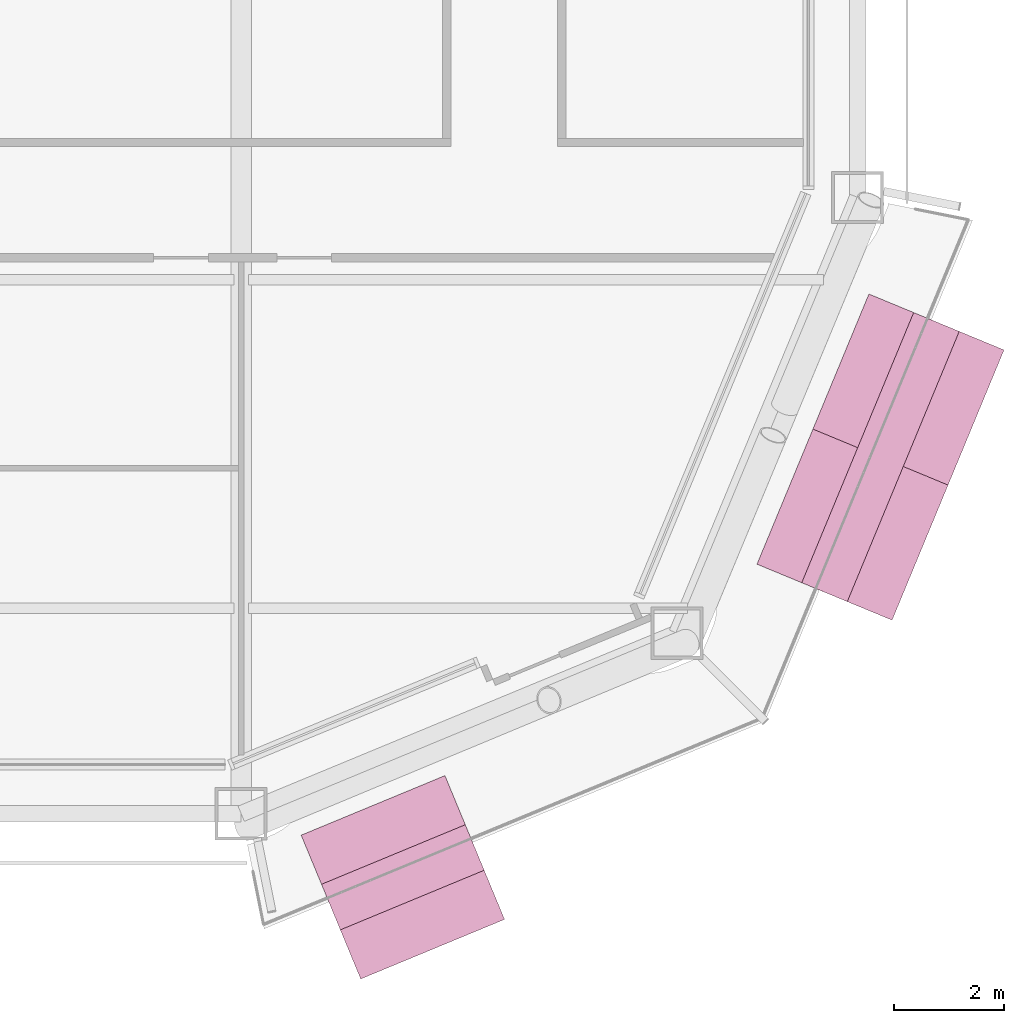
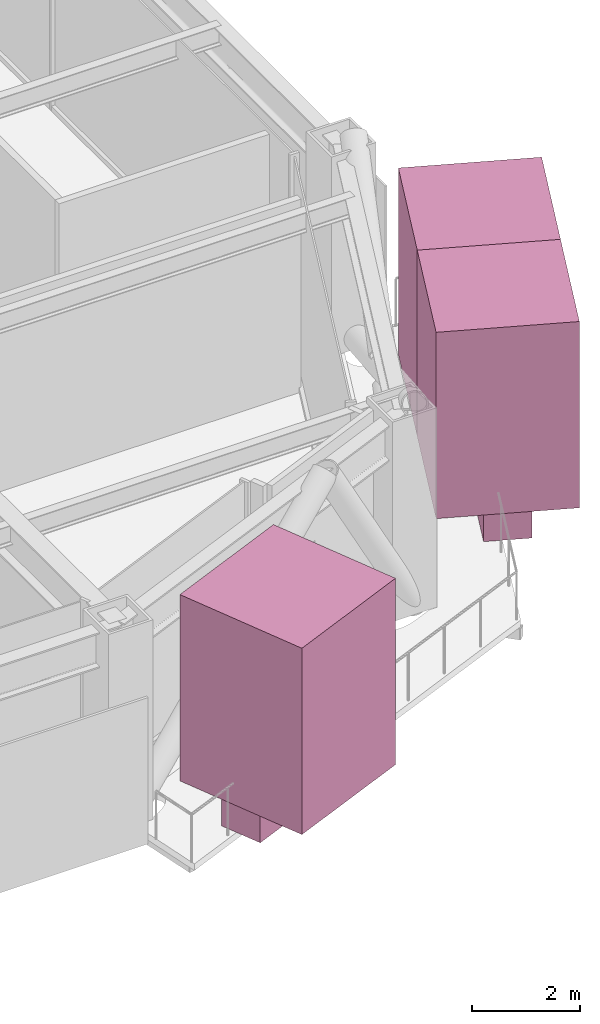
# One storey, part 23 of 23: 5 furnishings.
"""IFC4 building model written with IfcOpenShell, lengths in metres."""

import ifcopenshell
import ifcopenshell.guid

model = None  # the IFC model being written
_history = None  # IfcOwnerHistory: only IFC2X3 demands one
_inside = {}  # id of a spatial element -> (the spatial element, [elements in it])
_under = {}  # id of a project, library or spatial element -> (it, [spatial elements below it])
_declared = {}  # id of a project -> (the project, [libraries it declares])
_typed = {}  # id of a type object -> (the type object, [elements of that type])
_made_of = {}  # id of a material, layer set ... -> (it, [elements and type objects made of it])


def new_model(schema):
    """Start an empty IFC model of exactly this schema.

    Asked for "IFC4X3", IfcOpenShell would pick the latest addendum, in which some entities
    have other attributes; the version numbers below select the first issue.
    IFC2X3 requires an IfcOwnerHistory on every rooted entity: one is made here for all.
    """
    global model, _history
    if schema == "IFC4X3":
        model = ifcopenshell.file(schema_version=(4, 3, 0, 0))
    else:
        model = ifcopenshell.file(schema=schema)
    _inside.clear()
    _under.clear()
    _declared.clear()
    _typed.clear()
    _made_of.clear()
    _history = None
    if model.schema == "IFC2X3":
        org = make("IfcOrganization", Name="unknown")
        user = make(
            "IfcPersonAndOrganization",
            ThePerson=make("IfcPerson", FamilyName="unknown"),
            TheOrganization=org,
        )
        app = make(
            "IfcApplication",
            ApplicationDeveloper=org,
            Version="unknown",
            ApplicationFullName="unknown",
            ApplicationIdentifier="unknown",
        )
        _history = make(
            "IfcOwnerHistory",
            OwningUser=user,
            OwningApplication=app,
            ChangeAction="ADDED",
            CreationDate=0,
        )
    return model


def make(cls, **values):
    """One entity of the class cls with the attributes given. An attribute that is None is left unset."""
    return model.create_entity(
        cls, **{name: value for name, value in values.items() if value is not None}
    )


def rooted(cls, **values):
    """An entity with a GlobalId (a new one), such as an element, a storey or a relation."""
    return make(cls, GlobalId=ifcopenshell.guid.new(), OwnerHistory=_history, **values)


def si_unit(unit_type, name, prefix=None):
    """IfcSIUnit, for example si_unit("LENGTHUNIT", "METRE", prefix="MILLI")."""
    return make("IfcSIUnit", UnitType=unit_type, Prefix=prefix, Name=name)


def assignment(units):
    """IfcUnitAssignment: the units of a project."""
    return None if units is None else make("IfcUnitAssignment", Units=units)


def point(xyz):
    """IfcCartesianPoint."""
    return None if xyz is None else make("IfcCartesianPoint", Coordinates=xyz)


def direction(xyz):
    """IfcDirection."""
    return None if xyz is None else make("IfcDirection", DirectionRatios=xyz)


def frame(location, z_axis=None, x_axis=None):
    """IfcAxis2Placement3D, a coordinate frame: its origin and axes. An axis left out is left unset."""
    return make(
        "IfcAxis2Placement3D",
        Location=point(location),
        Axis=direction(z_axis),
        RefDirection=direction(x_axis),
    )


def frame_2d(location, x_axis=None):
    """IfcAxis2Placement2D, a coordinate frame in the plane: its origin and x axis."""
    return make(
        "IfcAxis2Placement2D", Location=point(location), RefDirection=direction(x_axis)
    )


def origin():
    """The frame at (0, 0, 0) with its axes left unset."""
    return frame((0.0, 0.0, 0.0))


def origin_2d():
    """The frame at (0, 0) in the plane with its x axis left unset."""
    return frame_2d((0.0, 0.0))


def place(relative_to, where):
    """IfcLocalPlacement: puts the frame where relative to a parent placement (None: the world)."""
    return make(
        "IfcLocalPlacement", PlacementRelTo=relative_to, RelativePlacement=where
    )


def context(
    kind, dimensions, precision=None, world=None, true_north=None, identifier=None
):
    """IfcGeometricRepresentationContext, for example the 3D "Model" context."""
    return make(
        "IfcGeometricRepresentationContext",
        ContextIdentifier=identifier,
        ContextType=kind,
        CoordinateSpaceDimension=dimensions,
        Precision=precision,
        WorldCoordinateSystem=world,
        TrueNorth=true_north,
    )


def subcontext(parent, identifier, kind, view, scale=None):
    """IfcGeometricRepresentationSubContext, for example "Body" below "Model"."""
    return make(
        "IfcGeometricRepresentationSubContext",
        ContextIdentifier=identifier,
        ContextType=kind,
        ParentContext=parent,
        TargetScale=scale,
        TargetView=view,
    )


def project(units=None, contexts=None):
    """IfcProject with its units and contexts."""
    return rooted(
        "IfcProject",
        Name="project",
        RepresentationContexts=contexts,
        UnitsInContext=assignment(units),
    )


def spatial(cls, under=None, at=None, **own):
    """A site, building, storey or space (cls), placed at a placement, below another one or the project."""
    s = rooted(cls, ObjectPlacement=at, **own)
    if under is not None:
        _under.setdefault(under.id(), (under, []))[1].append(s)
    return s


def profile(cls, at=None, kind="AREA", **sizes):
    """A parametric profile (cls). Its sizes go by their IFC names, for example OverallWidth=200.0."""
    return make(cls, ProfileType=kind, Position=at, **sizes)


def rectangle(**sizes):
    """IfcRectangleProfileDef."""
    return profile("IfcRectangleProfileDef", **sizes)


def extrude(swept, where, along, depth):
    """IfcExtrudedAreaSolid: the profile swept, set in the frame where, extruded along a direction by depth."""
    return make(
        "IfcExtrudedAreaSolid",
        SweptArea=swept,
        Position=where,
        ExtrudedDirection=direction(along),
        Depth=depth,
    )


def shape(context_of_items, identifier, shape_type, items):
    """IfcShapeRepresentation: the items that make up one representation, for example the "Body"."""
    return make(
        "IfcShapeRepresentation",
        ContextOfItems=context_of_items,
        RepresentationIdentifier=identifier,
        RepresentationType=shape_type,
        Items=items,
    )


def material(Name=None, Category=None):
    """IfcMaterial."""
    return make("IfcMaterial", Name=Name, Category=Category)


def made_of(thing, what):
    """Note that an element or type object is made of a material, layer set ...; save() writes the relation."""
    if what is not None:
        _made_of.setdefault(what.id(), (what, []))[1].append(thing)
    return thing


def type_object(cls, material=None, **own):
    """A type object (cls), such as IfcWallType, which elements share."""
    return made_of(rooted(cls, **own), material)


def element(
    cls,
    number,
    at=None,
    inside=None,
    cuts=None,
    type_object=None,
    material=None,
    context=None,
    identifier="Body",
    shape_type=None,
    held_by="IfcProductDefinitionShape",
    body=None,
    shapes=None,
    **own,
):
    """One element of the class cls, such as IfcWall. Its Tag is "e" and its number.

    at: its placement. inside: the storey or other place that contains it. cuts: it is an
    opening in that element (IfcRelVoidsElement). A single representation is given by context,
    identifier, shape_type and body (its items); several are given by shapes. held_by: the class
    of the entity that holds the representations. save() writes the other relations.
    """
    e = rooted(cls, Tag="e%d" % number, ObjectPlacement=at, **own)
    if body is not None:
        shapes = [shape(context, identifier, shape_type, body)]
    if shapes is not None:
        e.Representation = make(held_by, Representations=shapes)
    if inside is not None:
        _inside.setdefault(inside.id(), (inside, []))[1].append(e)
    if cuts is not None:
        rooted(
            "IfcRelVoidsElement", RelatingBuildingElement=cuts, RelatedOpeningElement=e
        )
    if type_object is not None:
        _typed.setdefault(type_object.id(), (type_object, []))[1].append(e)
    return made_of(e, material)


def aggregate(whole, parts):
    """IfcRelAggregates: a whole, such as a stair, and the parts it consists of."""
    return rooted("IfcRelAggregates", RelatingObject=whole, RelatedObjects=parts)


def save(model, path):
    """Write the relations noted so far, then the file.

    IfcRelAggregates (storeys below a building ...), IfcRelContainedInSpatialStructure (elements
    in a storey), IfcRelDefinesByType, IfcRelAssociatesMaterial and IfcRelDeclares: one each for
    every whole, place, type object, material and project.
    """
    for whole, parts in _under.values():
        aggregate(whole, parts)
    for where, things in _inside.values():
        rooted(
            "IfcRelContainedInSpatialStructure",
            RelatedElements=things,
            RelatingStructure=where,
        )
    for kind, things in _typed.values():
        rooted("IfcRelDefinesByType", RelatedObjects=things, RelatingType=kind)
    for what, things in _made_of.values():
        rooted("IfcRelAssociatesMaterial", RelatedObjects=things, RelatingMaterial=what)
    for by, libraries in _declared.values():
        rooted("IfcRelDeclares", RelatingContext=by, RelatedDefinitions=libraries)
    model.write(path)


model = new_model("IFC4")

# Units and contexts
model_context = context("Model", 3, precision=1e-05, world=origin(), true_north=direction((0.0, 1.0)))
body_context = subcontext(model_context, "Body", "Model", "MODEL_VIEW")
ifc_project = project(units=[si_unit("LENGTHUNIT", "METRE"), si_unit("AREAUNIT", "SQUARE_METRE"), si_unit("VOLUMEUNIT", "CUBIC_METRE"), si_unit("PLANEANGLEUNIT", "RADIAN"), si_unit("MASSUNIT", "GRAM", prefix="KILO")], contexts=[model_context])

# Site, building, storey
site_placement = place(None, origin())
site = spatial("IfcSite", under=ifc_project, at=site_placement, CompositionType="ELEMENT")
building_placement = place(site_placement, origin())
building = spatial("IfcBuilding", under=site, at=building_placement, Name="Siwar Civic Tower", CompositionType="ELEMENT")
storey_placement = place(building_placement, frame((0.0, 0.0, 109.199951171875)))
storey = spatial("IfcBuildingStorey", under=building, at=storey_placement, Name="L23", CompositionType="ELEMENT", Elevation=109.199951171875)

# Furnishings
ifc_material_1 = material(Name="Planting soil and foliage")
furnishing_element_type_1 = type_object("IfcFurnishingElementType", Name="ENV-PLANTER", material=ifc_material_1)
furnishing_1_placement = place(storey_placement, frame((20.949951171875, -30.409423828125, 0.0), z_axis=(0.0, 0.0, 1.0), x_axis=(0.923879532511, 0.382683432365, 0.0)))
element("IfcFurnishingElement", 1, at=furnishing_1_placement, inside=storey, type_object=furnishing_element_type_1, Name="PLANTER SE 1", context=body_context, shape_type="SweptSolid", body=[
    extrude(rectangle(XDim=2.84130859375, YDim=0.89990234375, at=origin_2d()), origin(), (0.0, 0.0, 1.0), 0.60009765625),
])
furnishing_2_placement = place(storey_placement, frame((29.66796875, -22.73974609375, 0.0), z_axis=(0.0, 0.0, 1.0), x_axis=(0.382683432365, 0.923879532511, 0.0)))
element("IfcFurnishingElement", 2, at=furnishing_2_placement, inside=storey, type_object=furnishing_element_type_1, Name="PLANTER SE 2", context=body_context, shape_type="SweptSolid", body=[
    extrude(rectangle(XDim=5.33837890625, YDim=0.89990234375, at=origin_2d()), origin(), (0.0, 0.0, 1.0), 0.60009765625),
])
ifc_material_2 = material(Name="Planting soil and foliage")
furnishing_element_type_2 = type_object("IfcFurnishingElementType", Name="ENV-TREE", material=ifc_material_2)
furnishing_3_placement = place(storey_placement, frame((20.949951171875, -30.409423828125, 0.60009765625), z_axis=(0.0, 0.0, 1.0), x_axis=(0.923879532511, 0.382683432365, 0.0)))
element("IfcFurnishingElement", 3, at=furnishing_3_placement, inside=storey, type_object=furnishing_element_type_2, Name="PLANTER (TREE) SE 1.1", context=body_context, shape_type="SweptSolid", body=[
    extrude(rectangle(XDim=2.84130859375, YDim=2.84130859375, at=origin_2d()), origin(), (0.0, 0.0, 1.0), 4.199951171875),
])
for number, where, z_axis, x_axis, name in (
    (4, (29.1572265625, -23.972900390625, 0.60009765625), (0.0, 0.0, 1.0), (0.382683432365, 0.923879532511, 0.0), "PLANTER (TREE) SE 2.1"),
    (5, (30.1787109375, -21.5068359375, 0.60009765625), (0.0, 0.0, 1.0), (0.382683432365, 0.923879532511, 0.0), "PLANTER (TREE) SE 2.2"),
):
    element("IfcFurnishingElement", number, at=place(storey_placement, frame(where, z_axis=z_axis, x_axis=x_axis)), inside=storey, type_object=furnishing_element_type_2, Name=name, context=body_context, shape_type="SweptSolid", body=[
        extrude(rectangle(XDim=2.669189453125, YDim=2.669189453125, at=origin_2d()), origin(), (0.0, 0.0, 1.0), 4.199951171875),
    ])

save(model, "model.ifc")
